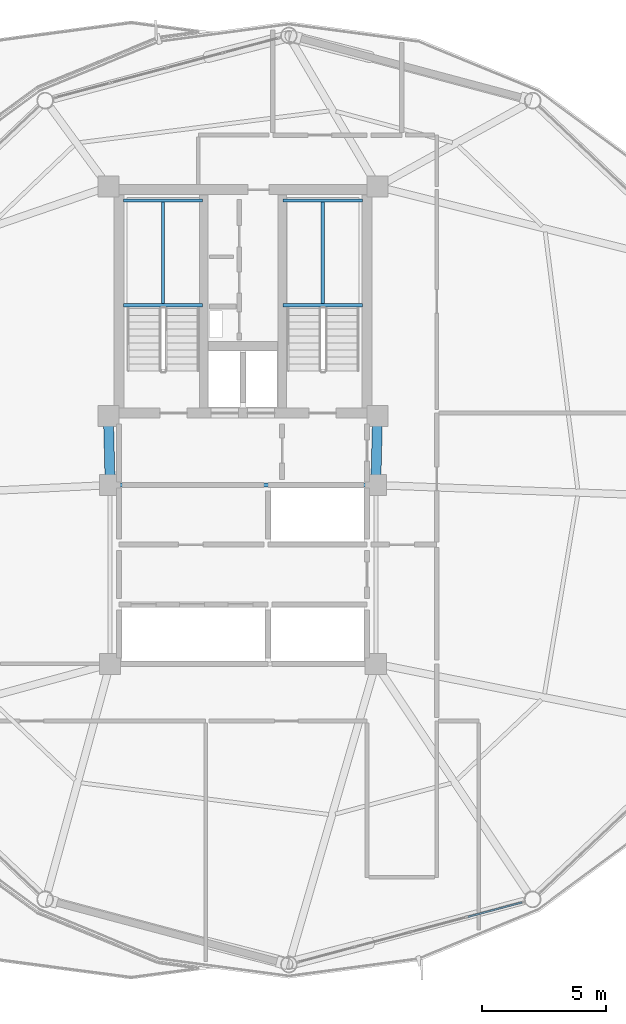
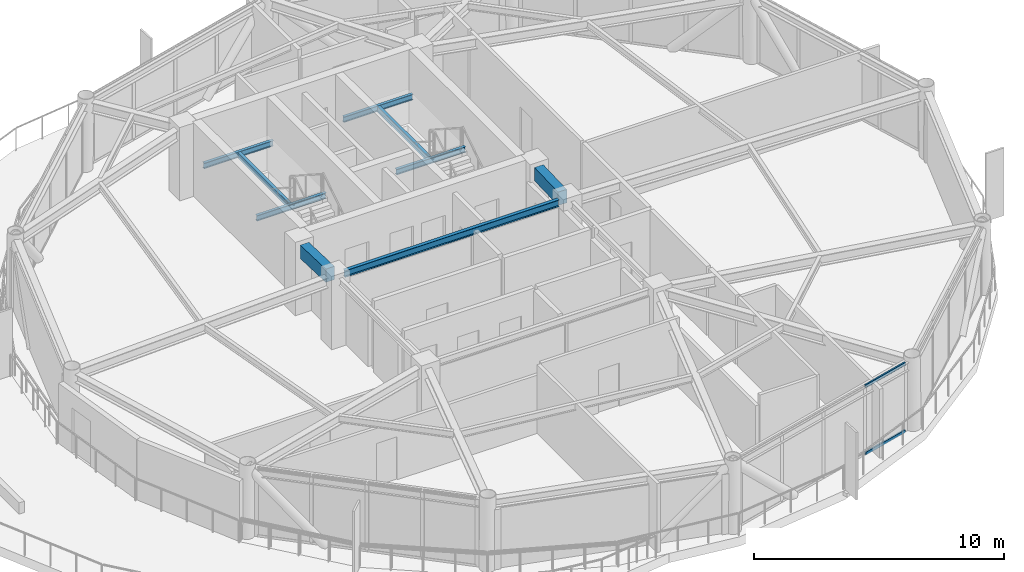
# One storey, part 8 of 25: 9 beams, 2 members, 1 element without a shape of its own.
"""IFC4 building model written with IfcOpenShell, lengths in metres."""

from ifc_helpers import new_model, si_unit, direction, frame, origin, origin_2d, place, context, subcontext, project, spatial, rectangle, hollow_rectangle, i_section, extrude, material, layer, layer_set, material_profile, profile_set, type_object, element, aggregate, save


model = new_model("IFC4")

# Units and contexts
model_context = context("Model", 3, precision=1e-05, world=origin(), true_north=direction((0.0, 1.0)))
body_context = subcontext(model_context, "Body", "Model", "MODEL_VIEW")
ifc_project = project(units=[si_unit("LENGTHUNIT", "METRE"), si_unit("AREAUNIT", "SQUARE_METRE"), si_unit("VOLUMEUNIT", "CUBIC_METRE"), si_unit("PLANEANGLEUNIT", "RADIAN"), si_unit("MASSUNIT", "GRAM", prefix="KILO")], contexts=[model_context])

# Site, building, storey
site_placement = place(None, origin())
site = spatial("IfcSite", under=ifc_project, at=site_placement, CompositionType="ELEMENT")
building_placement = place(site_placement, origin())
building = spatial("IfcBuilding", under=site, at=building_placement, Name="Varnakorn Sky Granary", CompositionType="ELEMENT")
storey_placement = place(building_placement, frame((0.0, 0.0, 178.800048828125)))
storey = spatial("IfcBuildingStorey", under=building, at=storey_placement, Name="L44", CompositionType="ELEMENT", Elevation=178.800048828125)

# Beams
ifc_material_1 = material(Name="Concrete C50/60", Category="concrete")
ifc_material_profile_1 = material_profile(ifc_material_1, rectangle(XDim=0.39990234375, YDim=0.64990234375, at=origin_2d()), Name="RC 400x650")
ifc_profile_set_1 = profile_set([ifc_material_profile_1], Name="Concrete C50/60")
beam_type_1 = type_object("IfcBeamType", Name="BM-LIN-650", PredefinedType="LINTEL", material=ifc_profile_set_1)
for number, where, z_axis, x_axis, name in (
    (1, (-2.409912109375, 2.97509765625, 3.034912109375), (0.025270737467, -0.99968064392, 0.0), (0.99968064392, 0.025270737467, 0.0), "Core Spine Framing Beam 1 L44"),
    (2, (8.409912109375, 2.97509765625, 3.034912109375), (-0.025270737467, -0.99968064392, 0.0), (0.99968064392, -0.025270737467, 0.0), "Core Spine Framing Beam 2 L44"),
):
    element("IfcBeam", number, at=place(storey_placement, frame(where, z_axis=z_axis, x_axis=x_axis)), inside=storey, type_object=beam_type_1, Name=name, PredefinedType="LINTEL", context=body_context, shape_type="SweptSolid", body=[
        extrude(rectangle(XDim=0.39990234375, YDim=0.64990234375, at=origin_2d()), origin(), (0.0, 0.0, 1.0), 1.970947265625),
    ])
ifc_material_2 = material(Name="Steel S355JR", Category="steel")
ifc_material_profile_2 = material_profile(ifc_material_2, i_section(OverallWidth=0.135009765625, OverallDepth=0.27001953125, WebThickness=0.006591796875, FlangeThickness=0.01025390625, at=origin_2d()), Name="IPE 270")
ifc_profile_set_2 = profile_set([ifc_material_profile_2], Name="Steel S355JR")
beam_type_2 = type_object("IfcBeamType", Name="BM-LND-270", PredefinedType="BEAM", material=ifc_profile_set_2)
for number, where, z_axis, x_axis, name in (
    (3, (-1.820068359375, 7.840087890625, 1.46484375), (1.0, 0.0, 0.0), (0.0, 1.0, 0.0), "Stair ST-1 Landing Trimmer Beam A L44-1"),
    (4, (-1.820068359375, 12.06005859375, 1.46484375), (1.0, 0.0, 0.0), (0.0, 1.0, 0.0), "Stair ST-1 Landing Trimmer Beam B L44-1"),
):
    element("IfcBeam", number, at=place(storey_placement, frame(where, z_axis=z_axis, x_axis=x_axis)), inside=storey, type_object=beam_type_2, Name=name, PredefinedType="BEAM", context=body_context, shape_type="SweptSolid", body=[
        extrude(i_section(OverallWidth=0.135009765625, OverallDepth=0.27001953125, WebThickness=0.006591796875, FlangeThickness=0.01025390625, at=origin_2d()), origin(), (0.0, 0.0, 1.0), 3.199951171875),
    ])
beam_1_placement = place(storey_placement, frame((-0.219970703125, 7.840087890625, 1.46484375), z_axis=(0.0, 1.0, 0.0), x_axis=(-1.0, 0.0, 0.0)))
element("IfcBeam", 5, at=beam_1_placement, inside=storey, type_object=beam_type_2, Name="Stair ST-1 Landing Cross Beam C L44-1", PredefinedType="BEAM", context=body_context, shape_type="SweptSolid", body=[
    extrude(i_section(OverallWidth=0.135009765625, OverallDepth=0.27001953125, WebThickness=0.006591796875, FlangeThickness=0.01025390625, at=origin_2d()), origin(), (0.0, 0.0, 1.0), 4.219970703125),
])
for number, where, z_axis, x_axis, name in (
    (6, (4.6201171875, 7.840087890625, 1.46484375), (1.0, 0.0, 0.0), (0.0, 1.0, 0.0), "Stair ST-2 Landing Trimmer Beam A L44-1"),
    (7, (4.6201171875, 12.06005859375, 1.46484375), (1.0, 0.0, 0.0), (0.0, 1.0, 0.0), "Stair ST-2 Landing Trimmer Beam B L44-1"),
):
    element("IfcBeam", number, at=place(storey_placement, frame(where, z_axis=z_axis, x_axis=x_axis)), inside=storey, type_object=beam_type_2, Name=name, PredefinedType="BEAM", context=body_context, shape_type="SweptSolid", body=[
        extrude(i_section(OverallWidth=0.135009765625, OverallDepth=0.27001953125, WebThickness=0.006591796875, FlangeThickness=0.01025390625, at=origin_2d()), origin(), (0.0, 0.0, 1.0), 3.199951171875),
    ])
beam_2_placement = place(storey_placement, frame((6.219970703125, 7.840087890625, 1.46484375), z_axis=(0.0, 1.0, 0.0), x_axis=(-1.0, 0.0, 0.0)))
element("IfcBeam", 8, at=beam_2_placement, inside=storey, type_object=beam_type_2, Name="Stair ST-2 Landing Cross Beam C L44-1", PredefinedType="BEAM", context=body_context, shape_type="SweptSolid", body=[
    extrude(i_section(OverallWidth=0.135009765625, OverallDepth=0.27001953125, WebThickness=0.006591796875, FlangeThickness=0.01025390625, at=origin_2d()), origin(), (0.0, 0.0, 1.0), 4.219970703125),
])
ifc_material_profile_3 = material_profile(ifc_material_2, i_section(OverallWidth=0.159912109375, OverallDepth=0.330078125, WebThickness=0.007568359375, FlangeThickness=0.011474609375, at=origin_2d()), Name="IPE 330")
ifc_profile_set_3 = profile_set([ifc_material_profile_3], Name="Steel S355JR")
beam_type_3 = type_object("IfcBeamType", Name="BM-SEC-Z4", PredefinedType="BEAM", material=ifc_profile_set_3)
beam_3_placement = place(storey_placement, frame((-1.945068359375, 0.60009765625, 3.195068359375), z_axis=(1.0, 0.0, 0.0), x_axis=(0.0, 1.0, 0.0)))
element("IfcBeam", 9, at=beam_3_placement, inside=storey, type_object=beam_type_3, Name="Core Spine Framing Beam 5 L44", PredefinedType="BEAM", context=body_context, shape_type="SweptSolid", body=[
    extrude(i_section(OverallWidth=0.159912109375, OverallDepth=0.330078125, WebThickness=0.007568359375, FlangeThickness=0.011474609375, at=origin_2d()), origin(), (0.0, 0.0, 1.0), 9.89013671875),
])

# Curtain wall, members
ifc_material_3 = material(Name="Anodised Bronze Aluminium Alloy 6063-T6", Category="aluminium")
ifc_layer = layer(ifc_material_3, 0.169921875, Name="Anodised Bronze Aluminium Alloy 6063-T6")
ifc_layer_set = layer_set([ifc_layer], Name="Anodised Bronze Aluminium Alloy 6063-T6")
curtain_wall_type = type_object("IfcCurtainWallType", Name="CW-LAB-1", PredefinedType="USERDEFINED", material=ifc_layer_set)
curtain_wall_placement = place(storey_placement, origin())
curtain_wall = element("IfcCurtainWall", 10, at=curtain_wall_placement, inside=storey, type_object=curtain_wall_type, Name="Unitised Curtain Wall CW5 CW-L44-B10", ObjectType="CURTAIN WALL", PredefinedType="USERDEFINED")
ifc_material_profile_4 = material_profile(ifc_material_3, hollow_rectangle(XDim=0.070068359375, YDim=0.139892578125, WallThickness=0.00341796875, at=origin_2d()), Name="ALU TRAN 70x140")
ifc_profile_set_4 = profile_set([ifc_material_profile_4], Name="Anodised Bronze Aluminium Alloy 6063-T6")
member_type = type_object("IfcMemberType", Name="CW-LAB-1-TRAN", PredefinedType="USERDEFINED", material=ifc_profile_set_4)
member_1_placement = place(storey_placement, frame((14.23388671875, -16.208984375, 0.034912109375), z_axis=(-0.966123167774, -0.258081430349, 0.0), x_axis=(0.258081430349, -0.966123167774, 0.0)))
member_1 = element("IfcMember", 11, at=member_1_placement, type_object=member_type, Name="CW5 transom 1.1", ObjectType="TRANSOM", PredefinedType="USERDEFINED", context=body_context, shape_type="SweptSolid", body=[
    extrude(hollow_rectangle(XDim=0.070068359375, YDim=0.139892578125, WallThickness=0.00341796875, at=origin_2d()), origin(), (0.0, 0.0, 1.0), 2.24951171875),
])
member_2_placement = place(storey_placement, frame((14.23388671875, -16.208984375, 3.324951171875), z_axis=(-0.966123167774, -0.258081430349, 0.0), x_axis=(0.258081430349, -0.966123167774, 0.0)))
member_2 = element("IfcMember", 12, at=member_2_placement, type_object=member_type, Name="CW5 transom 1.2", ObjectType="TRANSOM", PredefinedType="USERDEFINED", context=body_context, shape_type="SweptSolid", body=[
    extrude(hollow_rectangle(XDim=0.070068359375, YDim=0.139892578125, WallThickness=0.00341796875, at=origin_2d()), origin(), (0.0, 0.0, 1.0), 2.24951171875),
])
aggregate(curtain_wall, [member_1, member_2])

save(model, "model.ifc")
